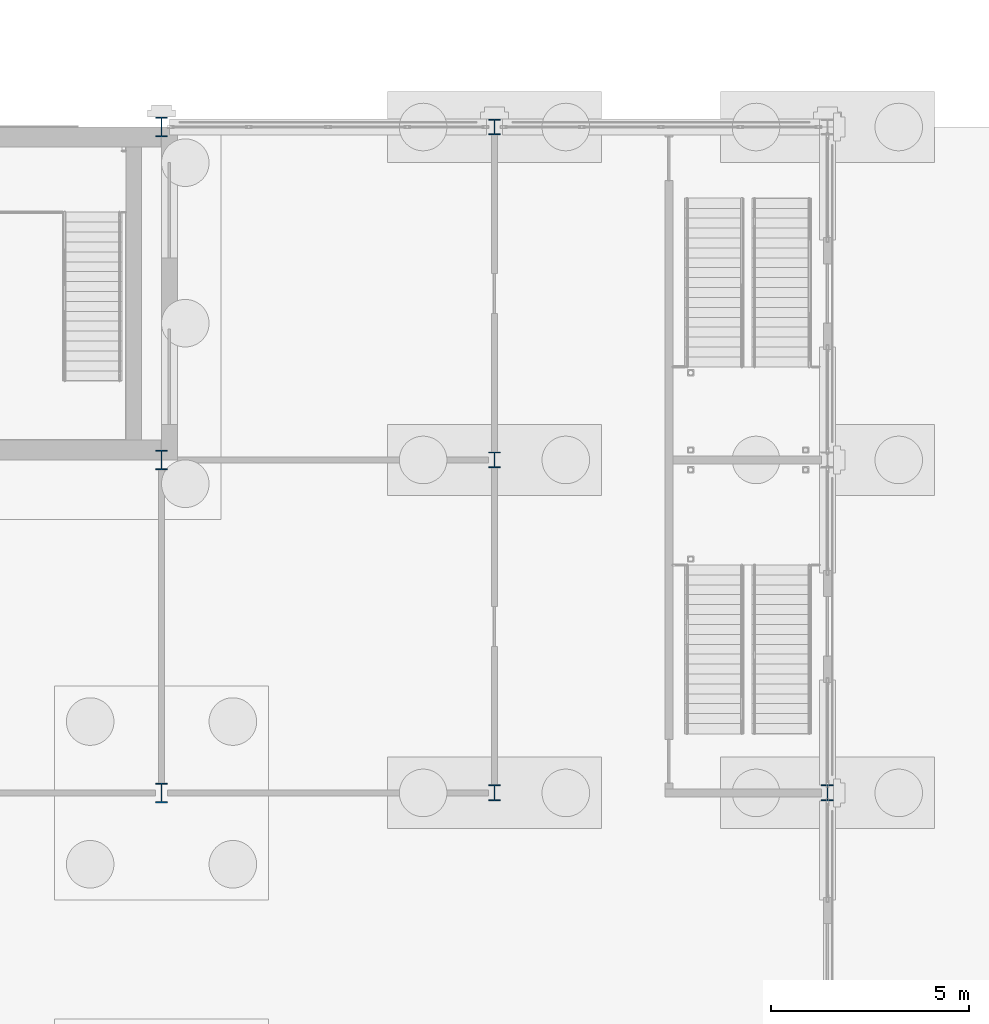
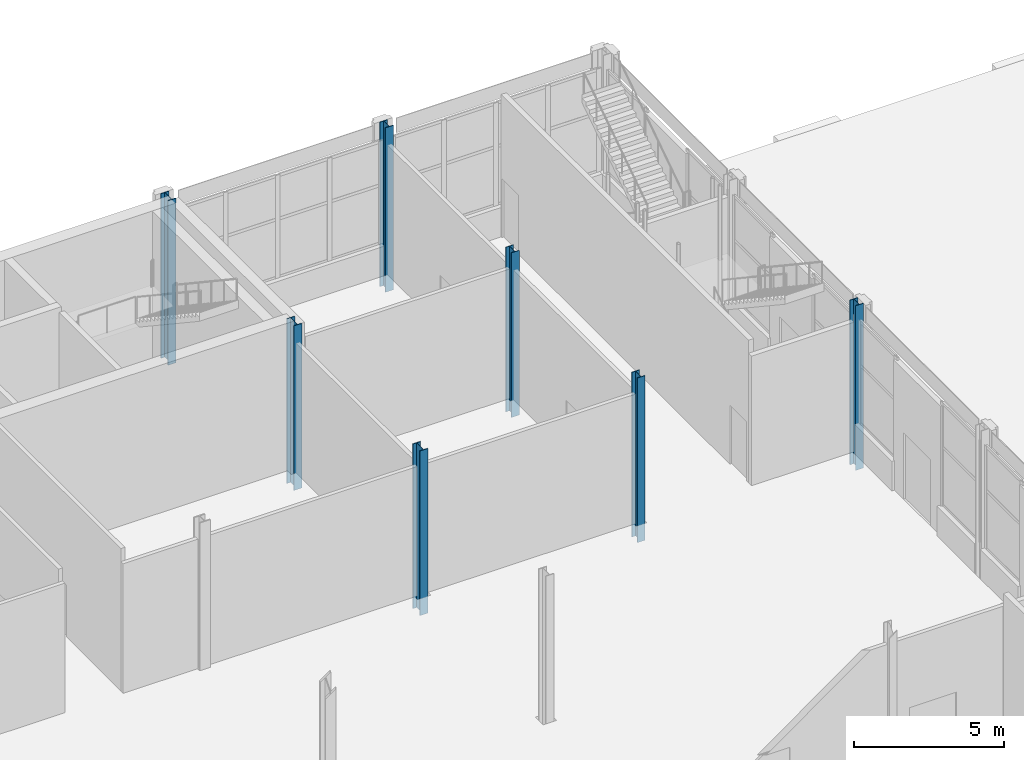
# One storey, part 33 of 212: 7 columns.
"""IFC4 building model written with IfcOpenShell, lengths in metres."""

from ifc_helpers import new_model, si_unit, direction, frame, origin, origin_2d, place, context, subcontext, project, spatial, i_section, extrude, material, material_profile, profile_set, type_object, element, save


model = new_model("IFC4")

# Units and contexts
model_context = context("Model", 3, precision=1e-05, world=origin(), true_north=direction((0.0, 1.0)))
body_context = subcontext(model_context, "Body", "Model", "MODEL_VIEW")
ifc_project = project(units=[si_unit("LENGTHUNIT", "METRE"), si_unit("AREAUNIT", "SQUARE_METRE"), si_unit("VOLUMEUNIT", "CUBIC_METRE"), si_unit("PLANEANGLEUNIT", "RADIAN"), si_unit("MASSUNIT", "GRAM", prefix="KILO")], contexts=[model_context])

# Site, building, storey
site_placement = place(None, origin())
site = spatial("IfcSite", under=ifc_project, at=site_placement, CompositionType="ELEMENT")
building_placement = place(site_placement, origin())
building = spatial("IfcBuilding", under=site, at=building_placement, Name="Catenary Quay Ferry Terminal", CompositionType="ELEMENT")
storey_placement = place(building_placement, origin())
storey = spatial("IfcBuildingStorey", under=building, at=storey_placement, Name="L00", CompositionType="ELEMENT", Elevation=0.0)

# Columns
ifc_material_1 = material(Name="Steel S355", Category="steel")
ifc_material_profile_1 = material_profile(ifc_material_1, i_section(OverallWidth=0.300048828125, OverallDepth=0.5, WebThickness=0.014404296875, FlangeThickness=0.028076171875, at=origin_2d()), Name="HEB 500")
ifc_profile_set_1 = profile_set([ifc_material_profile_1], Name="Steel S355")
column_type_1 = type_object("IfcColumnType", Name="C1 HEB 500", PredefinedType="COLUMN", material=ifc_profile_set_1)
for number, where, z_axis, x_axis, name in (
    (1, (50.39990234375, 201.60009765625, -0.699951171875), (0.0, 0.0, 1.0), (1.0, 0.0, 0.0), "Column C-G25 L00"),
    (2, (50.39990234375, 210.0, -0.699951171875), (0.0, 0.0, 1.0), (1.0, 0.0, 0.0), "Column C-G26 L00"),
    (3, (50.39990234375, 193.199951171875, -0.699951171875), (0.0, 0.0, 1.0), (1.0, 0.0, 0.0), "Column C-G24 L00"),
):
    element("IfcColumn", number, at=place(storey_placement, frame(where, z_axis=z_axis, x_axis=x_axis)), inside=storey, type_object=column_type_1, Name=name, PredefinedType="COLUMN", context=body_context, shape_type="SweptSolid", body=[
        extrude(i_section(OverallWidth=0.300048828125, OverallDepth=0.5, WebThickness=0.014404296875, FlangeThickness=0.028076171875, at=origin_2d()), origin(), (0.0, 0.0, 1.0), 6.699951171875),
    ])
ifc_material_2 = material(Name="Steel S355", Category="steel")
ifc_material_profile_2 = material_profile(ifc_material_2, i_section(OverallWidth=0.300048828125, OverallDepth=0.39990234375, WebThickness=0.013427734375, FlangeThickness=0.02392578125, at=origin_2d()), Name="HEB 400")
ifc_profile_set_2 = profile_set([ifc_material_profile_2], Name="Steel S355")
column_type_2 = type_object("IfcColumnType", Name="C2 HEB 400", PredefinedType="COLUMN", material=ifc_profile_set_2)
for number, where, z_axis, x_axis, name in (
    (4, (58.800048828125, 193.199951171875, -0.699951171875), (0.0, 0.0, 1.0), (1.0, 0.0, 0.0), "Column C-H24 L00"),
    (5, (58.800048828125, 201.60009765625, -0.699951171875), (0.0, 0.0, 1.0), (1.0, 0.0, 0.0), "Column C-H25 L00"),
    (6, (58.800048828125, 210.0, -0.699951171875), (0.0, 0.0, 1.0), (1.0, 0.0, 0.0), "Column C-H26 L00"),
    (7, (67.199951171875, 193.199951171875, -0.699951171875), (0.0, 0.0, 1.0), (1.0, 0.0, 0.0), "Column C-I24 L00"),
):
    element("IfcColumn", number, at=place(storey_placement, frame(where, z_axis=z_axis, x_axis=x_axis)), inside=storey, type_object=column_type_2, Name=name, PredefinedType="COLUMN", context=body_context, shape_type="SweptSolid", body=[
        extrude(i_section(OverallWidth=0.300048828125, OverallDepth=0.39990234375, WebThickness=0.013427734375, FlangeThickness=0.02392578125, at=origin_2d()), origin(), (0.0, 0.0, 1.0), 6.699951171875),
    ])

save(model, "model.ifc")
